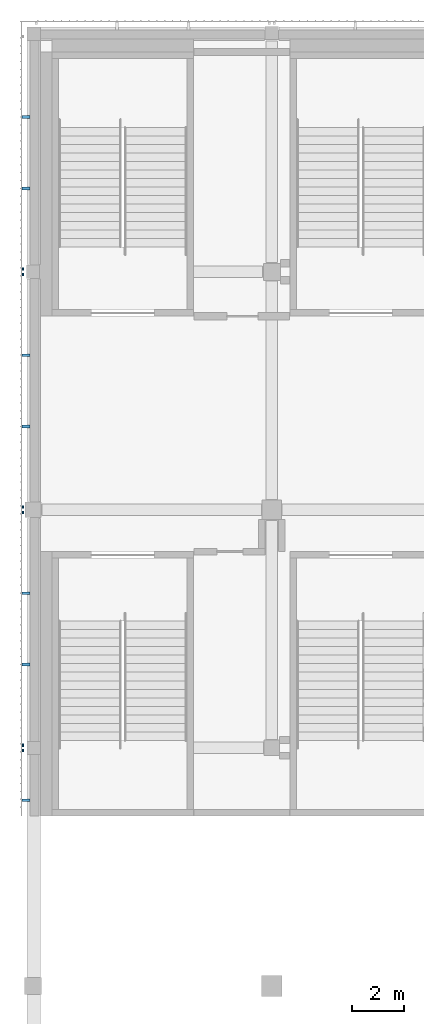
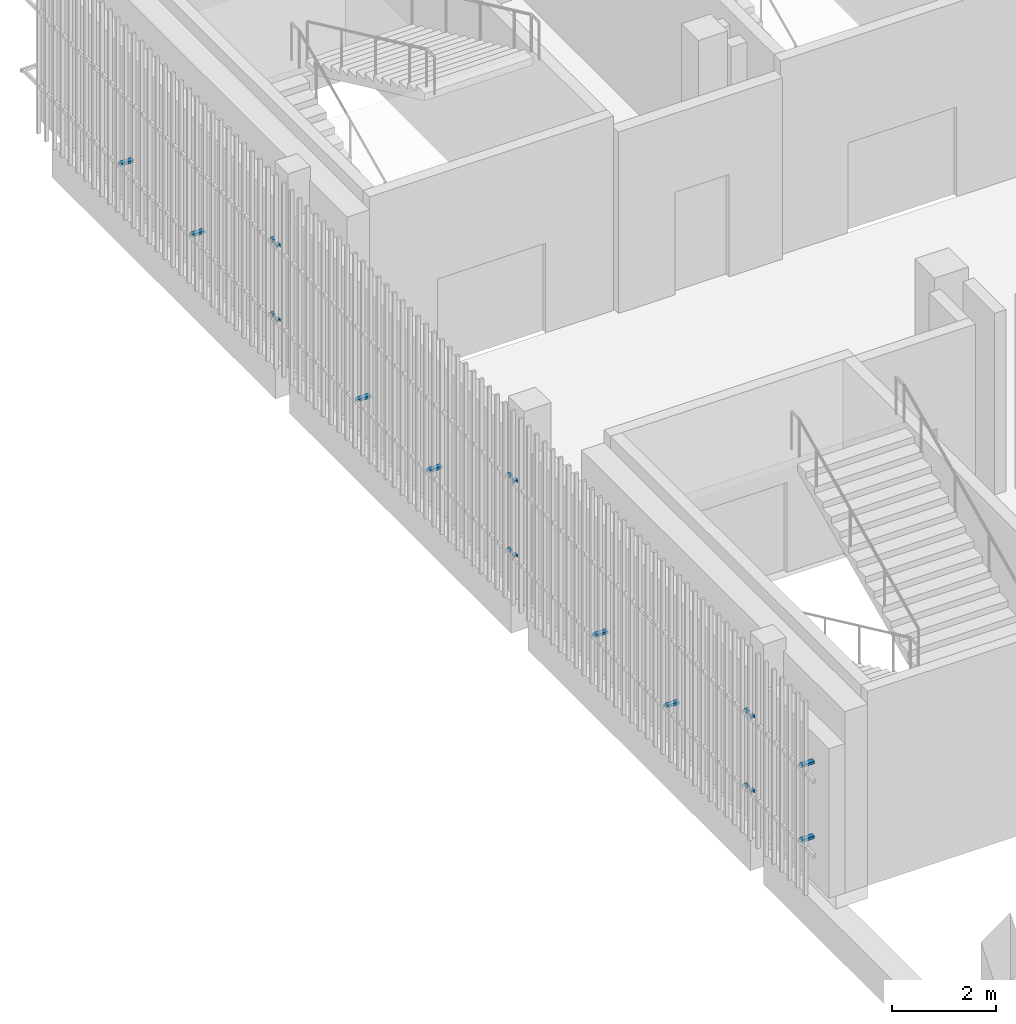
# One storey, part 79 of 104: 20 discrete accessories.
"""IFC4 building model written with IfcOpenShell, lengths in metres."""

from ifc_helpers import new_model, si_unit, direction, frame, origin, origin_2d, place, context, subcontext, project, spatial, rectangle, extrude, material, type_object, element, save


model = new_model("IFC4")

# Units and contexts
model_context = context("Model", 3, precision=1e-05, world=origin(), true_north=direction((0.0, 1.0)))
body_context = subcontext(model_context, "Body", "Model", "MODEL_VIEW")
ifc_project = project(units=[si_unit("LENGTHUNIT", "METRE"), si_unit("AREAUNIT", "SQUARE_METRE"), si_unit("VOLUMEUNIT", "CUBIC_METRE"), si_unit("PLANEANGLEUNIT", "RADIAN"), si_unit("MASSUNIT", "GRAM", prefix="KILO")], contexts=[model_context])

# Site, building, storey
site_placement = place(None, origin())
site = spatial("IfcSite", under=ifc_project, at=site_placement, CompositionType="ELEMENT")
building_placement = place(site_placement, origin())
building = spatial("IfcBuilding", under=site, at=building_placement, Name="Shirokan Park Arena", CompositionType="ELEMENT")
storey_placement = place(building_placement, frame((0.0, 0.0, 10.919921875)))
storey = spatial("IfcBuildingStorey", under=building, at=storey_placement, Name="L02", CompositionType="ELEMENT", Elevation=10.919921875)

# Discrete accessories
ifc_material = material(Name="Steel S355", Category="steel")
discrete_accessory_type = type_object("IfcDiscreteAccessoryType", Name="Veil bracket 100x60", PredefinedType="BRACKET", material=ifc_material)
for number, where, z_axis, x_axis, name in (
    (1, (-0.409912109375, 100.199951171875, 1.070068359375), (0.0, 0.0, 1.0), (0.0, -1.0, 0.0), "Veil bracket west bay 1 L02 2"),
    (2, (-0.409912109375, 100.199951171875, 2.820068359375), (0.0, 0.0, 1.0), (0.0, -1.0, 0.0), "Veil bracket west bay 1 L02 4"),
):
    element("IfcDiscreteAccessory", number, at=place(storey_placement, frame(where, z_axis=z_axis, x_axis=x_axis)), inside=storey, type_object=discrete_accessory_type, Name=name, PredefinedType="BRACKET", context=body_context, shape_type="SweptSolid", body=[
        extrude(rectangle(XDim=0.10009765625, YDim=0.070068359375, at=origin_2d()), origin(), (0.0, 0.0, 1.0), 0.06005859375),
    ])
for number, where, z_axis, x_axis, name in (
    (3, (-0.297607421875, 106.014892578125, 1.070068359375), (0.0, 0.0, 1.0), (0.0, -1.0, 0.0), "Veil bracket west bay 1 L02 wall 1"),
    (4, (-0.297607421875, 103.284912109375, 1.070068359375), (0.0, 0.0, 1.0), (0.0, -1.0, 0.0), "Veil bracket west bay 1 L02 wall 2"),
):
    element("IfcDiscreteAccessory", number, at=place(storey_placement, frame(where, z_axis=z_axis, x_axis=x_axis)), inside=storey, type_object=discrete_accessory_type, Name=name, PredefinedType="BRACKET", context=body_context, shape_type="SweptSolid", body=[
        extrude(rectangle(XDim=0.10009765625, YDim=0.294921875, at=origin_2d()), origin(), (0.0, 0.0, 1.0), 0.06005859375),
    ])
for number, where, z_axis, x_axis, name in (
    (5, (-0.409912109375, 100.0, 1.070068359375), (0.0, 0.0, 1.0), (0.0, -1.0, 0.0), "Veil bracket west bay 2 L02 1"),
    (6, (-0.409912109375, 91.10009765625, 1.070068359375), (0.0, 0.0, 1.0), (0.0, -1.0, 0.0), "Veil bracket west bay 2 L02 2"),
    (7, (-0.409912109375, 100.0, 2.820068359375), (0.0, 0.0, 1.0), (0.0, -1.0, 0.0), "Veil bracket west bay 2 L02 3"),
    (8, (-0.409912109375, 91.10009765625, 2.820068359375), (0.0, 0.0, 1.0), (0.0, -1.0, 0.0), "Veil bracket west bay 2 L02 4"),
):
    element("IfcDiscreteAccessory", number, at=place(storey_placement, frame(where, z_axis=z_axis, x_axis=x_axis)), inside=storey, type_object=discrete_accessory_type, Name=name, PredefinedType="BRACKET", context=body_context, shape_type="SweptSolid", body=[
        extrude(rectangle(XDim=0.10009765625, YDim=0.070068359375, at=origin_2d()), origin(), (0.0, 0.0, 1.0), 0.06005859375),
    ])
for number, where, z_axis, x_axis, name in (
    (9, (-0.297607421875, 96.9150390625, 1.070068359375), (0.0, 0.0, 1.0), (0.0, -1.0, 0.0), "Veil bracket west bay 2 L02 wall 1"),
    (10, (-0.297607421875, 94.18505859375, 1.070068359375), (0.0, 0.0, 1.0), (0.0, -1.0, 0.0), "Veil bracket west bay 2 L02 wall 2"),
):
    element("IfcDiscreteAccessory", number, at=place(storey_placement, frame(where, z_axis=z_axis, x_axis=x_axis)), inside=storey, type_object=discrete_accessory_type, Name=name, PredefinedType="BRACKET", context=body_context, shape_type="SweptSolid", body=[
        extrude(rectangle(XDim=0.10009765625, YDim=0.294921875, at=origin_2d()), origin(), (0.0, 0.0, 1.0), 0.06005859375),
    ])
for number, where, z_axis, x_axis, name in (
    (11, (-0.409912109375, 90.89990234375, 1.070068359375), (0.0, 0.0, 1.0), (0.0, -1.0, 0.0), "Veil bracket west bay 3 L02 1"),
    (12, (-0.409912109375, 82.0, 1.070068359375), (0.0, 0.0, 1.0), (0.0, -1.0, 0.0), "Veil bracket west bay 3 L02 2"),
    (13, (-0.409912109375, 90.89990234375, 2.820068359375), (0.0, 0.0, 1.0), (0.0, -1.0, 0.0), "Veil bracket west bay 3 L02 3"),
    (14, (-0.409912109375, 82.0, 2.820068359375), (0.0, 0.0, 1.0), (0.0, -1.0, 0.0), "Veil bracket west bay 3 L02 4"),
):
    element("IfcDiscreteAccessory", number, at=place(storey_placement, frame(where, z_axis=z_axis, x_axis=x_axis)), inside=storey, type_object=discrete_accessory_type, Name=name, PredefinedType="BRACKET", context=body_context, shape_type="SweptSolid", body=[
        extrude(rectangle(XDim=0.10009765625, YDim=0.070068359375, at=origin_2d()), origin(), (0.0, 0.0, 1.0), 0.06005859375),
    ])
for number, where, z_axis, x_axis, name in (
    (15, (-0.297607421875, 87.81494140625, 1.070068359375), (0.0, 0.0, 1.0), (0.0, -1.0, 0.0), "Veil bracket west bay 3 L02 wall 1"),
    (16, (-0.297607421875, 85.0849609375, 1.070068359375), (0.0, 0.0, 1.0), (0.0, -1.0, 0.0), "Veil bracket west bay 3 L02 wall 2"),
):
    element("IfcDiscreteAccessory", number, at=place(storey_placement, frame(where, z_axis=z_axis, x_axis=x_axis)), inside=storey, type_object=discrete_accessory_type, Name=name, PredefinedType="BRACKET", context=body_context, shape_type="SweptSolid", body=[
        extrude(rectangle(XDim=0.10009765625, YDim=0.294921875, at=origin_2d()), origin(), (0.0, 0.0, 1.0), 0.06005859375),
    ])
discrete_accessory_1_placement = place(storey_placement, frame((-0.409912109375, 81.800048828125, 1.070068359375), z_axis=(0.0, 0.0, 1.0), x_axis=(0.0, -1.0, 0.0)))
element("IfcDiscreteAccessory", 17, at=discrete_accessory_1_placement, inside=storey, type_object=discrete_accessory_type, Name="Veil bracket west bay 4 L02 1", PredefinedType="BRACKET", context=body_context, shape_type="SweptSolid", body=[
    extrude(rectangle(XDim=0.10009765625, YDim=0.070068359375, at=origin_2d()), origin(), (0.0, 0.0, 1.0), 0.06005859375),
])
discrete_accessory_2_placement = place(storey_placement, frame((-0.297607421875, 79.89990234375, 1.070068359375), z_axis=(0.0, 0.0, 1.0), x_axis=(0.0, -1.0, 0.0)))
element("IfcDiscreteAccessory", 18, at=discrete_accessory_2_placement, inside=storey, type_object=discrete_accessory_type, Name="Veil bracket west bay 4 L02 2", PredefinedType="BRACKET", context=body_context, shape_type="SweptSolid", body=[
    extrude(rectangle(XDim=0.10009765625, YDim=0.294921875, at=origin_2d()), origin(), (0.0, 0.0, 1.0), 0.06005859375),
])
discrete_accessory_3_placement = place(storey_placement, frame((-0.409912109375, 81.800048828125, 2.820068359375), z_axis=(0.0, 0.0, 1.0), x_axis=(0.0, -1.0, 0.0)))
element("IfcDiscreteAccessory", 19, at=discrete_accessory_3_placement, inside=storey, type_object=discrete_accessory_type, Name="Veil bracket west bay 4 L02 3", PredefinedType="BRACKET", context=body_context, shape_type="SweptSolid", body=[
    extrude(rectangle(XDim=0.10009765625, YDim=0.070068359375, at=origin_2d()), origin(), (0.0, 0.0, 1.0), 0.06005859375),
])
discrete_accessory_4_placement = place(storey_placement, frame((-0.297607421875, 79.89990234375, 2.820068359375), z_axis=(0.0, 0.0, 1.0), x_axis=(0.0, -1.0, 0.0)))
element("IfcDiscreteAccessory", 20, at=discrete_accessory_4_placement, inside=storey, type_object=discrete_accessory_type, Name="Veil bracket west bay 4 L02 4", PredefinedType="BRACKET", context=body_context, shape_type="SweptSolid", body=[
    extrude(rectangle(XDim=0.10009765625, YDim=0.294921875, at=origin_2d()), origin(), (0.0, 0.0, 1.0), 0.06005859375),
])

save(model, "model.ifc")
